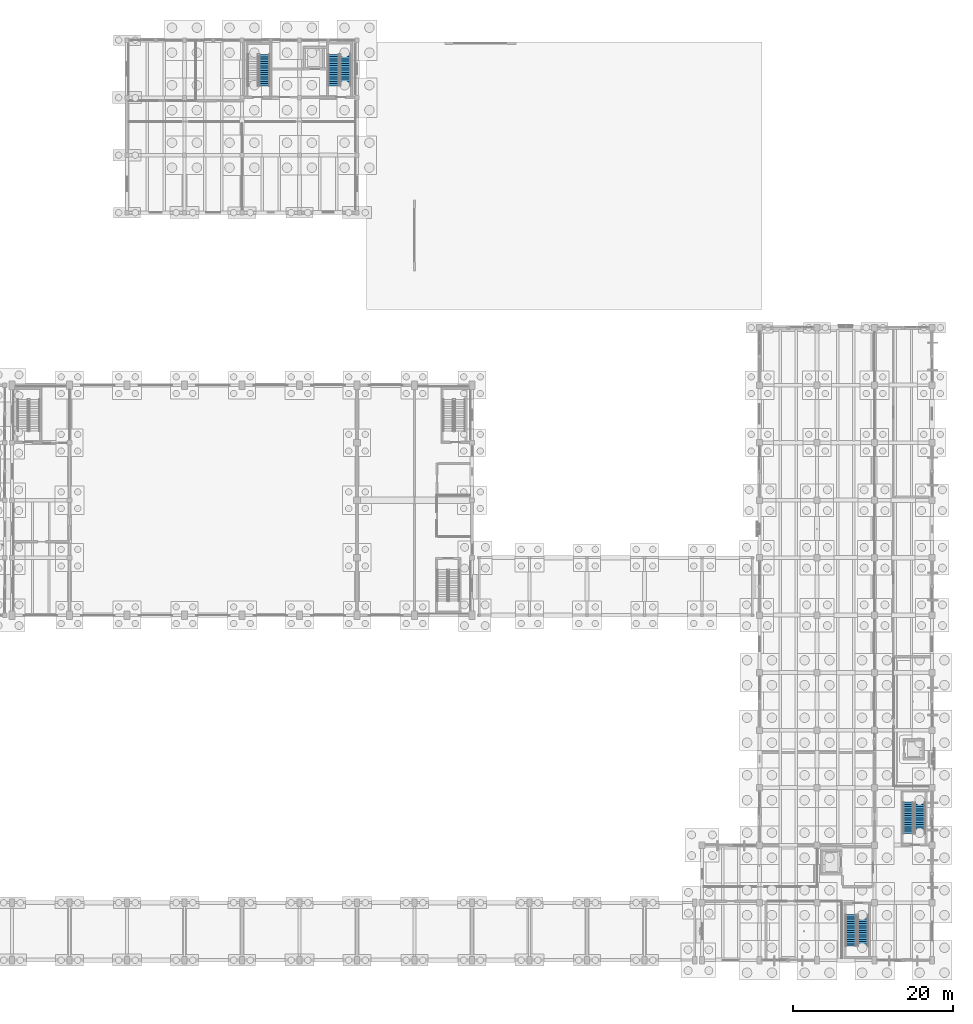
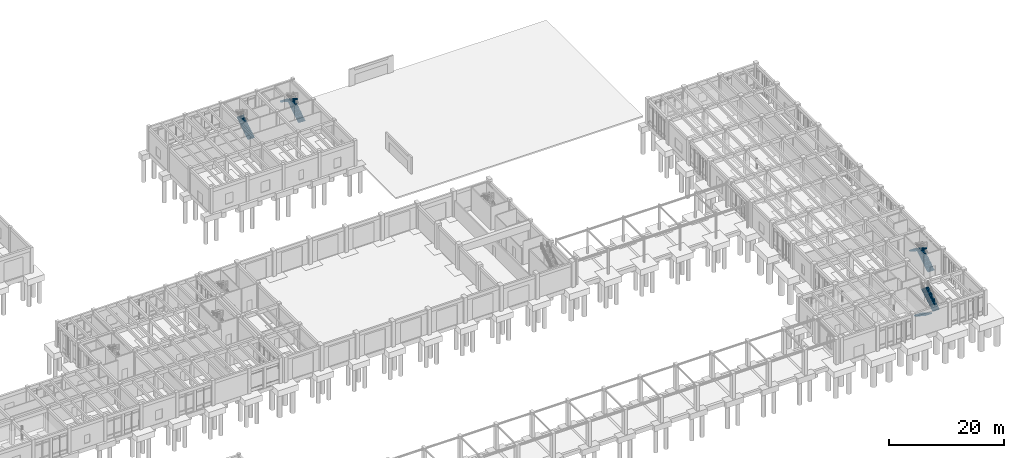
# One storey, part 74 of 93: 7 stair flights, 4 elements without a shape of their own.
"""IFC4 building model written with IfcOpenShell, lengths in metres."""

from ifc_helpers import new_model, si_unit, direction, frame, origin, place, context, subcontext, project, spatial, polyline, outline, extrude, material, type_object, element, aggregate, save


model = new_model("IFC4")

# Units and contexts
model_context = context("Model", 3, precision=1e-05, world=origin(), true_north=direction((0.0, 1.0)))
body_context = subcontext(model_context, "Body", "Model", "MODEL_VIEW")
ifc_project = project(units=[si_unit("LENGTHUNIT", "METRE"), si_unit("AREAUNIT", "SQUARE_METRE"), si_unit("VOLUMEUNIT", "CUBIC_METRE"), si_unit("PLANEANGLEUNIT", "RADIAN"), si_unit("MASSUNIT", "GRAM", prefix="KILO")], contexts=[model_context])

# Site, building, storey
site_placement = place(None, origin())
site = spatial("IfcSite", under=ifc_project, at=site_placement, CompositionType="ELEMENT")
building_placement = place(site_placement, origin())
building = spatial("IfcBuilding", under=site, at=building_placement, Name="Koriwan Promenade Central Fire Station", CompositionType="ELEMENT")
storey_placement = place(building_placement, origin())
storey = spatial("IfcBuildingStorey", under=building, at=storey_placement, Name="L00", CompositionType="ELEMENT", Elevation=0.0)

# Stair, stair flight
ifc_material = material(Name="Concrete C35/45", Category="concrete")
stair_type_1 = type_object("IfcStairType", Name="Stair_HALF_30R_1320", PredefinedType="HALF_TURN_STAIR", material=ifc_material)
stair_1_placement = place(storey_placement, origin())
stair_1 = element("IfcStair", 1, at=stair_1_placement, inside=storey, type_object=stair_type_1, Name="L00 Protected Stair ST09", PredefinedType="HALF_TURN_STAIR")
stair_flight_type_1 = type_object("IfcStairFlightType", Name="StairFlight_15R_180H_1320", PredefinedType="STRAIGHT", material=ifc_material)
stair_flight_1_placement = place(storey_placement, frame((89.239990234375, 109.469970703125, 0.0), z_axis=(0.0, 0.0, 1.0), x_axis=(0.0, 1.0, 0.0)))
stair_flight_1 = element("IfcStairFlight", 2, at=stair_flight_1_placement, type_object=stair_flight_type_1, Name="ST09 flight 1", NumberOfRisers=15, NumberOfTreads=14, PredefinedType="STRAIGHT", RiserHeight=0.18, TreadLength=0.28, context=body_context, shape_type="SweptSolid", body=[
    extrude(outline(polyline([(0.0, 0.0), (0.0, 0.179931640625), (0.280029296875, 0.179931640625), (0.280029296875, 0.360107421875), (0.56005859375, 0.360107421875), (0.56005859375, 0.5400390625), (0.840087890625, 0.5400390625), (0.840087890625, 0.719970703125), (1.1201171875, 0.719970703125), (1.1201171875, 0.89990234375), (1.39990234375, 0.89990234375), (1.39990234375, 1.080078125), (1.679931640625, 1.080078125), (1.679931640625, 1.260009765625), (1.9599609375, 1.260009765625), (1.9599609375, 1.43994140625), (2.239990234375, 1.43994140625), (2.239990234375, 1.6201171875), (2.52001953125, 1.6201171875), (2.52001953125, 1.800048828125), (2.800048828125, 1.800048828125), (2.800048828125, 1.97998046875), (3.080078125, 1.97998046875), (3.080078125, 2.159912109375), (3.360107421875, 2.159912109375), (3.360107421875, 2.340087890625), (3.639892578125, 2.340087890625), (3.639892578125, 2.52001953125), (3.919921875, 2.52001953125), (3.919921875, 2.699951171875), (3.919921875, 2.341796875), (0.277099609375, 0.0), (0.0, 0.0)])), frame((0.0, 0.66015625, 0.0), z_axis=(0.0, -1.0, 0.0), x_axis=(1.0, 0.0, 0.0)), (0.0, 0.0, 1.0), 1.320068359375),
])
aggregate(stair_1, [stair_flight_1])

# Stair, stair flights
stair_2_placement = place(storey_placement, origin())
stair_2 = element("IfcStair", 3, at=stair_2_placement, inside=storey, type_object=stair_type_1, Name="L00 Protected Stair ST27", PredefinedType="HALF_TURN_STAIR")
stair_flight_2_placement = place(storey_placement, frame((171.2900390625, 15.8701171875, 0.0), z_axis=(0.0, 0.0, 1.0), x_axis=(0.0, 1.0, 0.0)))
stair_flight_2 = element("IfcStairFlight", 4, at=stair_flight_2_placement, type_object=stair_flight_type_1, Name="ST27 flight 1", NumberOfRisers=15, NumberOfTreads=14, PredefinedType="STRAIGHT", RiserHeight=0.18, TreadLength=0.28, context=body_context, shape_type="SweptSolid", body=[
    extrude(outline(polyline([(0.0, 0.0), (0.0, 0.179931640625), (0.280029296875, 0.179931640625), (0.280029296875, 0.360107421875), (0.56005859375, 0.360107421875), (0.56005859375, 0.5400390625), (0.840087890625, 0.5400390625), (0.840087890625, 0.719970703125), (1.1201171875, 0.719970703125), (1.1201171875, 0.89990234375), (1.39990234375, 0.89990234375), (1.39990234375, 1.080078125), (1.679931640625, 1.080078125), (1.679931640625, 1.260009765625), (1.9599609375, 1.260009765625), (1.9599609375, 1.43994140625), (2.239990234375, 1.43994140625), (2.239990234375, 1.6201171875), (2.52001953125, 1.6201171875), (2.52001953125, 1.800048828125), (2.800048828125, 1.800048828125), (2.800048828125, 1.97998046875), (3.080078125, 1.97998046875), (3.080078125, 2.159912109375), (3.360107421875, 2.159912109375), (3.360107421875, 2.340087890625), (3.639892578125, 2.340087890625), (3.639892578125, 2.52001953125), (3.919921875, 2.52001953125), (3.919921875, 2.699951171875), (3.919921875, 2.341796875), (0.277099609375, 0.0), (0.0, 0.0)])), frame((0.0, 0.66015625, 0.0), z_axis=(0.0, -1.0, 0.0), x_axis=(1.0, 0.0, 0.0)), (0.0, 0.0, 1.0), 1.320068359375),
])
stair_flight_3_placement = place(storey_placement, frame((169.820068359375, 19.7900390625, 2.699951171875), z_axis=(0.0, 0.0, 1.0), x_axis=(0.0, -1.0, 0.0)))
stair_flight_3 = element("IfcStairFlight", 5, at=stair_flight_3_placement, type_object=stair_flight_type_1, Name="ST27 flight 2", NumberOfRisers=15, NumberOfTreads=14, PredefinedType="STRAIGHT", RiserHeight=0.18, TreadLength=0.28, context=body_context, shape_type="SweptSolid", body=[
    extrude(outline(polyline([(0.0, 0.0), (0.0, 0.179931640625), (0.280029296875, 0.179931640625), (0.280029296875, 0.360107421875), (0.56005859375, 0.360107421875), (0.56005859375, 0.5400390625), (0.840087890625, 0.5400390625), (0.840087890625, 0.719970703125), (1.1201171875, 0.719970703125), (1.1201171875, 0.89990234375), (1.39990234375, 0.89990234375), (1.39990234375, 1.080078125), (1.679931640625, 1.080078125), (1.679931640625, 1.260009765625), (1.9599609375, 1.260009765625), (1.9599609375, 1.43994140625), (2.239990234375, 1.43994140625), (2.239990234375, 1.6201171875), (2.52001953125, 1.6201171875), (2.52001953125, 1.800048828125), (2.800048828125, 1.800048828125), (2.800048828125, 1.97998046875), (3.080078125, 1.97998046875), (3.080078125, 2.159912109375), (3.360107421875, 2.159912109375), (3.360107421875, 2.340087890625), (3.639892578125, 2.340087890625), (3.639892578125, 2.52001953125), (3.919921875, 2.52001953125), (3.919921875, 2.699951171875), (3.919921875, 2.341796875), (0.277099609375, 0.0), (0.0, 0.0)])), frame((0.0, 0.66015625, 0.0), z_axis=(0.0, -1.0, 0.0), x_axis=(1.0, 0.0, 0.0)), (0.0, 0.0, 1.0), 1.320068359375),
])
aggregate(stair_2, [stair_flight_2, stair_flight_3])

stair_type_2 = type_object("IfcStairType", Name="Stair_HALF_30R_1340", PredefinedType="HALF_TURN_STAIR", material=ifc_material)
stair_3_placement = place(storey_placement, origin())
stair_3 = element("IfcStair", 6, at=stair_3_placement, inside=storey, type_object=stair_type_2, Name="L00 Protected Stair ST04", PredefinedType="HALF_TURN_STAIR")
stair_flight_type_2 = type_object("IfcStairFlightType", Name="StairFlight_15R_180H_1340", PredefinedType="STRAIGHT", material=ifc_material)
stair_flight_4_placement = place(storey_placement, frame((99.3798828125, 109.489990234375, 0.0), z_axis=(0.0, 0.0, 1.0), x_axis=(0.0, 1.0, 0.0)))
stair_flight_4 = element("IfcStairFlight", 7, at=stair_flight_4_placement, type_object=stair_flight_type_2, Name="ST04 flight 1", NumberOfRisers=15, NumberOfTreads=14, PredefinedType="STRAIGHT", RiserHeight=0.18, TreadLength=0.28, context=body_context, shape_type="SweptSolid", body=[
    extrude(outline(polyline([(0.0, 0.0), (0.0, 0.179931640625), (0.280029296875, 0.179931640625), (0.280029296875, 0.360107421875), (0.56005859375, 0.360107421875), (0.56005859375, 0.5400390625), (0.840087890625, 0.5400390625), (0.840087890625, 0.719970703125), (1.1201171875, 0.719970703125), (1.1201171875, 0.89990234375), (1.39990234375, 0.89990234375), (1.39990234375, 1.080078125), (1.679931640625, 1.080078125), (1.679931640625, 1.260009765625), (1.9599609375, 1.260009765625), (1.9599609375, 1.43994140625), (2.239990234375, 1.43994140625), (2.239990234375, 1.6201171875), (2.52001953125, 1.6201171875), (2.52001953125, 1.800048828125), (2.800048828125, 1.800048828125), (2.800048828125, 1.97998046875), (3.080078125, 1.97998046875), (3.080078125, 2.159912109375), (3.360107421875, 2.159912109375), (3.360107421875, 2.340087890625), (3.639892578125, 2.340087890625), (3.639892578125, 2.52001953125), (3.919921875, 2.52001953125), (3.919921875, 2.699951171875), (3.919921875, 2.341796875), (0.277099609375, 0.0), (0.0, 0.0)])), frame((0.0, 0.669921875, 0.0), z_axis=(0.0, -1.0, 0.0), x_axis=(1.0, 0.0, 0.0)), (0.0, 0.0, 1.0), 1.340087890625),
])
stair_flight_5_placement = place(storey_placement, frame((97.889892578125, 113.409912109375, 2.699951171875), z_axis=(0.0, 0.0, 1.0), x_axis=(0.0, -1.0, 0.0)))
stair_flight_5 = element("IfcStairFlight", 8, at=stair_flight_5_placement, type_object=stair_flight_type_2, Name="ST04 flight 2", NumberOfRisers=15, NumberOfTreads=14, PredefinedType="STRAIGHT", RiserHeight=0.18, TreadLength=0.28, context=body_context, shape_type="SweptSolid", body=[
    extrude(outline(polyline([(0.0, 0.0), (0.0, 0.179931640625), (0.280029296875, 0.179931640625), (0.280029296875, 0.360107421875), (0.56005859375, 0.360107421875), (0.56005859375, 0.5400390625), (0.840087890625, 0.5400390625), (0.840087890625, 0.719970703125), (1.1201171875, 0.719970703125), (1.1201171875, 0.89990234375), (1.39990234375, 0.89990234375), (1.39990234375, 1.080078125), (1.679931640625, 1.080078125), (1.679931640625, 1.260009765625), (1.9599609375, 1.260009765625), (1.9599609375, 1.43994140625), (2.239990234375, 1.43994140625), (2.239990234375, 1.6201171875), (2.52001953125, 1.6201171875), (2.52001953125, 1.800048828125), (2.800048828125, 1.800048828125), (2.800048828125, 1.97998046875), (3.080078125, 1.97998046875), (3.080078125, 2.159912109375), (3.360107421875, 2.159912109375), (3.360107421875, 2.340087890625), (3.639892578125, 2.340087890625), (3.639892578125, 2.52001953125), (3.919921875, 2.52001953125), (3.919921875, 2.699951171875), (3.919921875, 2.341796875), (0.277099609375, 0.0), (0.0, 0.0)])), frame((0.0, 0.669921875, 0.0), z_axis=(0.0, -1.0, 0.0), x_axis=(1.0, 0.0, 0.0)), (0.0, 0.0, 1.0), 1.340087890625),
])
aggregate(stair_3, [stair_flight_4, stair_flight_5])

stair_type_3 = type_object("IfcStairType", Name="Stair_HALF_30R_1350", PredefinedType="HALF_TURN_STAIR", material=ifc_material)
stair_4_placement = place(storey_placement, origin())
stair_4 = element("IfcStair", 9, at=stair_4_placement, inside=storey, type_object=stair_type_3, Name="L00 Protected Stair ST22", PredefinedType="HALF_TURN_STAIR")
stair_flight_type_3 = type_object("IfcStairFlightType", Name="StairFlight_15R_180H_1350", PredefinedType="STRAIGHT", material=ifc_material)
stair_flight_6_placement = place(storey_placement, frame((162.675048828125, 5.699951171875, 0.0), z_axis=(0.0, 0.0, 1.0), x_axis=(0.0, -1.0, 0.0)))
stair_flight_6 = element("IfcStairFlight", 10, at=stair_flight_6_placement, type_object=stair_flight_type_3, Name="ST22 flight 1", NumberOfRisers=15, NumberOfTreads=14, PredefinedType="STRAIGHT", RiserHeight=0.18, TreadLength=0.28, context=body_context, shape_type="SweptSolid", body=[
    extrude(outline(polyline([(0.0, 0.0), (0.0, 0.179931640625), (0.280029296875, 0.179931640625), (0.280029296875, 0.360107421875), (0.56005859375, 0.360107421875), (0.56005859375, 0.5400390625), (0.840087890625, 0.5400390625), (0.840087890625, 0.719970703125), (1.1201171875, 0.719970703125), (1.1201171875, 0.89990234375), (1.39990234375, 0.89990234375), (1.39990234375, 1.080078125), (1.679931640625, 1.080078125), (1.679931640625, 1.260009765625), (1.9599609375, 1.260009765625), (1.9599609375, 1.43994140625), (2.239990234375, 1.43994140625), (2.239990234375, 1.6201171875), (2.52001953125, 1.6201171875), (2.52001953125, 1.800048828125), (2.800048828125, 1.800048828125), (2.800048828125, 1.97998046875), (3.080078125, 1.97998046875), (3.080078125, 2.159912109375), (3.360107421875, 2.159912109375), (3.360107421875, 2.340087890625), (3.639892578125, 2.340087890625), (3.639892578125, 2.52001953125), (3.919921875, 2.52001953125), (3.919921875, 2.699951171875), (3.919921875, 2.341796875), (0.277099609375, 0.0), (0.0, 0.0)])), frame((0.0, 0.675048828125, 0.0), z_axis=(0.0, -1.0, 0.0), x_axis=(1.0, 0.0, 0.0)), (0.0, 0.0, 1.0), 1.35009765625),
])
stair_flight_7_placement = place(storey_placement, frame((164.175048828125, 1.780029296875, 2.699951171875), z_axis=(0.0, 0.0, 1.0), x_axis=(0.0, 1.0, 0.0)))
stair_flight_7 = element("IfcStairFlight", 11, at=stair_flight_7_placement, type_object=stair_flight_type_3, Name="ST22 flight 2", NumberOfRisers=15, NumberOfTreads=14, PredefinedType="STRAIGHT", RiserHeight=0.18, TreadLength=0.28, context=body_context, shape_type="SweptSolid", body=[
    extrude(outline(polyline([(0.0, 0.0), (0.0, 0.179931640625), (0.280029296875, 0.179931640625), (0.280029296875, 0.360107421875), (0.56005859375, 0.360107421875), (0.56005859375, 0.5400390625), (0.840087890625, 0.5400390625), (0.840087890625, 0.719970703125), (1.1201171875, 0.719970703125), (1.1201171875, 0.89990234375), (1.39990234375, 0.89990234375), (1.39990234375, 1.080078125), (1.679931640625, 1.080078125), (1.679931640625, 1.260009765625), (1.9599609375, 1.260009765625), (1.9599609375, 1.43994140625), (2.239990234375, 1.43994140625), (2.239990234375, 1.6201171875), (2.52001953125, 1.6201171875), (2.52001953125, 1.800048828125), (2.800048828125, 1.800048828125), (2.800048828125, 1.97998046875), (3.080078125, 1.97998046875), (3.080078125, 2.159912109375), (3.360107421875, 2.159912109375), (3.360107421875, 2.340087890625), (3.639892578125, 2.340087890625), (3.639892578125, 2.52001953125), (3.919921875, 2.52001953125), (3.919921875, 2.699951171875), (3.919921875, 2.341796875), (0.277099609375, 0.0), (0.0, 0.0)])), frame((0.0, 0.675048828125, 0.0), z_axis=(0.0, -1.0, 0.0), x_axis=(1.0, 0.0, 0.0)), (0.0, 0.0, 1.0), 1.35009765625),
])
aggregate(stair_4, [stair_flight_6, stair_flight_7])

save(model, "model.ifc")
